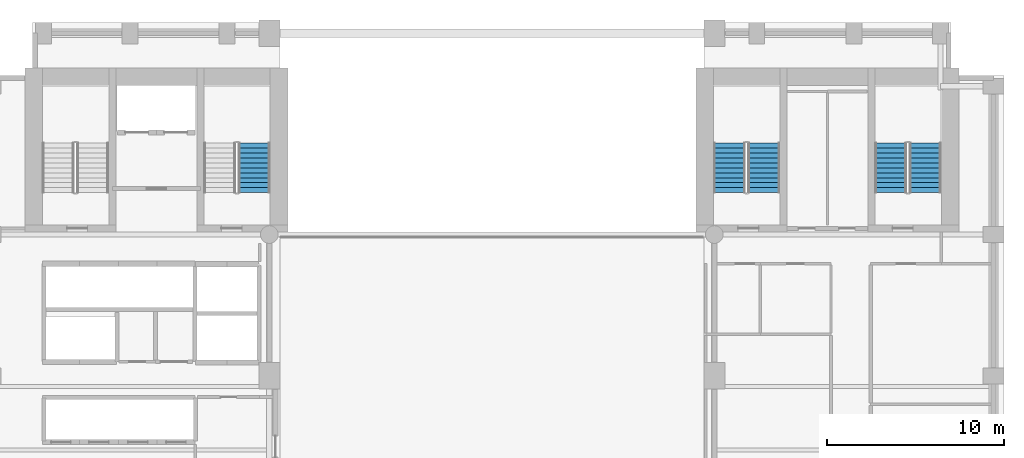
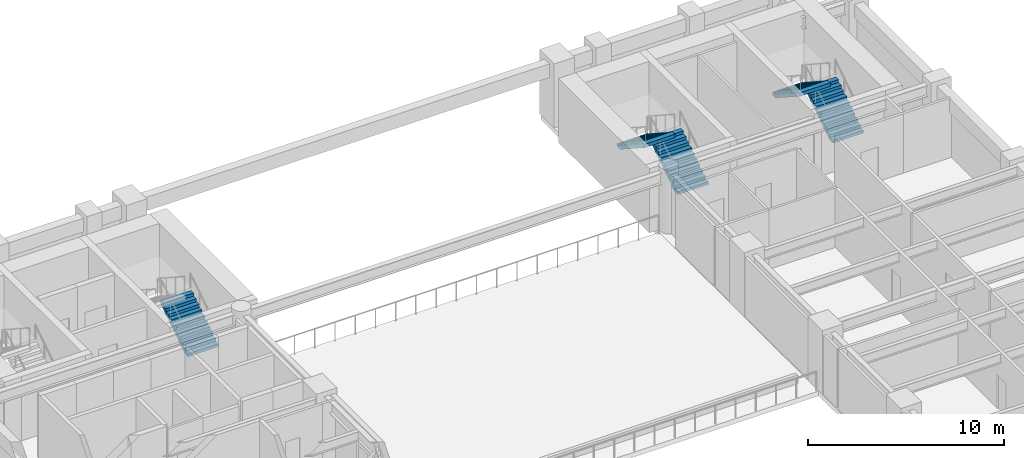
# One storey, part 8 of 12: 5 stair flights, 3 elements without a shape of their own.
"""IFC4 building model written with IfcOpenShell, lengths in metres."""

from ifc_helpers import new_model, si_unit, direction, frame, origin, place, context, subcontext, project, spatial, polyline, outline, extrude, material, type_object, element, aggregate, save


model = new_model("IFC4")

# Units and contexts
model_context = context("Model", 3, precision=1e-05, world=origin(), true_north=direction((0.0, 1.0)))
body_context = subcontext(model_context, "Body", "Model", "MODEL_VIEW")
ifc_project = project(units=[si_unit("LENGTHUNIT", "METRE"), si_unit("AREAUNIT", "SQUARE_METRE"), si_unit("VOLUMEUNIT", "CUBIC_METRE"), si_unit("PLANEANGLEUNIT", "RADIAN"), si_unit("MASSUNIT", "GRAM", prefix="KILO")], contexts=[model_context])

# Site, building, storey
site_placement = place(None, origin())
site = spatial("IfcSite", under=ifc_project, at=site_placement, CompositionType="ELEMENT")
building_placement = place(site_placement, origin())
building = spatial("IfcBuilding", under=site, at=building_placement, Name="Sulina Concourse Tower", CompositionType="ELEMENT")
storey_placement = place(building_placement, frame((0.0, 0.0, 38.60009765625)))
storey = spatial("IfcBuildingStorey", under=building, at=storey_placement, Name="L09", CompositionType="ELEMENT", Elevation=38.60009765625)

# Stair, stair flights
ifc_material_1 = material(Name="Concrete C50/60", Category="concrete")
stair_type_1 = type_object("IfcStairType", Name="Portal & Podium Core Exit Stair 1820mm", PredefinedType="HALF_TURN_STAIR", material=ifc_material_1)
stair_1_placement = place(storey_placement, origin())
stair_1 = element("IfcStair", 1, at=stair_1_placement, inside=storey, type_object=stair_type_1, Name="L09 ST-3", PredefinedType="HALF_TURN_STAIR")
ifc_material_2 = material(Name="Concrete C50/60", Category="concrete")
stair_flight_type_1 = type_object("IfcStairFlightType", Name="Portal & Podium Core Exit Stair 1820mm Flight", PredefinedType="STRAIGHT", material=ifc_material_2)
stair_flight_1_placement = place(storey_placement, frame((44.405029296875, 36.375, 0.0), z_axis=(0.0, 0.0, 1.0), x_axis=(0.0, 1.0, 0.0)))
stair_flight_1 = element("IfcStairFlight", 2, at=stair_flight_1_placement, type_object=stair_flight_type_1, Name="ST-3 flight 1", NumberOfRisers=11, NumberOfTreads=10, PredefinedType="STRAIGHT", RiserHeight=0.181818182, TreadLength=0.28, context=body_context, shape_type="SweptSolid", body=[
    extrude(outline(polyline([(0.0, 0.0), (0.0, 0.181884765625), (0.280029296875, 0.181884765625), (0.280029296875, 0.363525390625), (0.56005859375, 0.363525390625), (0.56005859375, 0.54541015625), (0.840087890625, 0.54541015625), (0.840087890625, 0.727294921875), (1.1201171875, 0.727294921875), (1.1201171875, 0.9091796875), (1.39990234375, 0.9091796875), (1.39990234375, 1.0908203125), (1.679931640625, 1.0908203125), (1.679931640625, 1.272705078125), (1.9599609375, 1.272705078125), (1.9599609375, 1.45458984375), (2.239990234375, 1.45458984375), (2.239990234375, 1.636474609375), (2.52001953125, 1.636474609375), (2.52001953125, 1.818115234375), (2.800048828125, 1.818115234375), (2.800048828125, 2.0), (2.800048828125, 1.603759765625), (0.330322265625, 0.0), (0.0, 0.0)])), frame((0.0, 0.89990234375, 0.0), z_axis=(0.0, -1.0, 0.0), x_axis=(1.0, 0.0, 0.0)), (0.0, 0.0, 1.0), 1.800048828125),
])
stair_flight_2_placement = place(storey_placement, frame((42.455078125, 39.175048828125, 2.0), z_axis=(0.0, 0.0, 1.0), x_axis=(0.0, -1.0, 0.0)))
stair_flight_2 = element("IfcStairFlight", 3, at=stair_flight_2_placement, type_object=stair_flight_type_1, Name="ST-3 flight 2", NumberOfRisers=11, NumberOfTreads=10, PredefinedType="STRAIGHT", RiserHeight=0.181818182, TreadLength=0.28, context=body_context, shape_type="SweptSolid", body=[
    extrude(outline(polyline([(0.0, 0.0), (0.0, 0.181884765625), (0.280029296875, 0.181884765625), (0.280029296875, 0.363525390625), (0.56005859375, 0.363525390625), (0.56005859375, 0.54541015625), (0.840087890625, 0.54541015625), (0.840087890625, 0.727294921875), (1.1201171875, 0.727294921875), (1.1201171875, 0.9091796875), (1.39990234375, 0.9091796875), (1.39990234375, 1.0908203125), (1.679931640625, 1.0908203125), (1.679931640625, 1.272705078125), (1.9599609375, 1.272705078125), (1.9599609375, 1.45458984375), (2.239990234375, 1.45458984375), (2.239990234375, 1.636474609375), (2.52001953125, 1.636474609375), (2.52001953125, 1.818115234375), (2.800048828125, 1.818115234375), (2.800048828125, 2.0), (2.800048828125, 1.603759765625), (0.330322265625, 0.0), (0.0, 0.0)])), frame((0.0, 0.89990234375, 0.0), z_axis=(0.0, -1.0, 0.0), x_axis=(1.0, 0.0, 0.0)), (0.0, 0.0, 1.0), 1.800048828125),
])
aggregate(stair_1, [stair_flight_1, stair_flight_2])

stair_2_placement = place(storey_placement, origin())
stair_2 = element("IfcStair", 4, at=stair_2_placement, inside=storey, type_object=stair_type_1, Name="L09 ST-4", PredefinedType="HALF_TURN_STAIR")
stair_flight_3_placement = place(storey_placement, frame((53.544921875, 36.375, 0.0), z_axis=(0.0, 0.0, 1.0), x_axis=(0.0, 1.0, 0.0)))
stair_flight_3 = element("IfcStairFlight", 5, at=stair_flight_3_placement, type_object=stair_flight_type_1, Name="ST-4 flight 1", NumberOfRisers=11, NumberOfTreads=10, PredefinedType="STRAIGHT", RiserHeight=0.181818182, TreadLength=0.28, context=body_context, shape_type="SweptSolid", body=[
    extrude(outline(polyline([(0.0, 0.0), (0.0, 0.181884765625), (0.280029296875, 0.181884765625), (0.280029296875, 0.363525390625), (0.56005859375, 0.363525390625), (0.56005859375, 0.54541015625), (0.840087890625, 0.54541015625), (0.840087890625, 0.727294921875), (1.1201171875, 0.727294921875), (1.1201171875, 0.9091796875), (1.39990234375, 0.9091796875), (1.39990234375, 1.0908203125), (1.679931640625, 1.0908203125), (1.679931640625, 1.272705078125), (1.9599609375, 1.272705078125), (1.9599609375, 1.45458984375), (2.239990234375, 1.45458984375), (2.239990234375, 1.636474609375), (2.52001953125, 1.636474609375), (2.52001953125, 1.818115234375), (2.800048828125, 1.818115234375), (2.800048828125, 2.0), (2.800048828125, 1.603759765625), (0.330322265625, 0.0), (0.0, 0.0)])), frame((0.0, 0.89990234375, 0.0), z_axis=(0.0, -1.0, 0.0), x_axis=(1.0, 0.0, 0.0)), (0.0, 0.0, 1.0), 1.800048828125),
])
stair_flight_4_placement = place(storey_placement, frame((51.594970703125, 39.175048828125, 2.0), z_axis=(0.0, 0.0, 1.0), x_axis=(0.0, -1.0, 0.0)))
stair_flight_4 = element("IfcStairFlight", 6, at=stair_flight_4_placement, type_object=stair_flight_type_1, Name="ST-4 flight 2", NumberOfRisers=11, NumberOfTreads=10, PredefinedType="STRAIGHT", RiserHeight=0.181818182, TreadLength=0.28, context=body_context, shape_type="SweptSolid", body=[
    extrude(outline(polyline([(0.0, 0.0), (0.0, 0.181884765625), (0.280029296875, 0.181884765625), (0.280029296875, 0.363525390625), (0.56005859375, 0.363525390625), (0.56005859375, 0.54541015625), (0.840087890625, 0.54541015625), (0.840087890625, 0.727294921875), (1.1201171875, 0.727294921875), (1.1201171875, 0.9091796875), (1.39990234375, 0.9091796875), (1.39990234375, 1.0908203125), (1.679931640625, 1.0908203125), (1.679931640625, 1.272705078125), (1.9599609375, 1.272705078125), (1.9599609375, 1.45458984375), (2.239990234375, 1.45458984375), (2.239990234375, 1.636474609375), (2.52001953125, 1.636474609375), (2.52001953125, 1.818115234375), (2.800048828125, 1.818115234375), (2.800048828125, 2.0), (2.800048828125, 1.603759765625), (0.330322265625, 0.0), (0.0, 0.0)])), frame((0.0, 0.89990234375, 0.0), z_axis=(0.0, -1.0, 0.0), x_axis=(1.0, 0.0, 0.0)), (0.0, 0.0, 1.0), 1.800048828125),
])
aggregate(stair_2, [stair_flight_3, stair_flight_4])

# Stair, stair flight
ifc_material_3 = material(Name="Concrete C50/60", Category="concrete")
stair_type_2 = type_object("IfcStairType", Name="Primary Core Dog-Leg Exit Stair 1800mm", PredefinedType="HALF_TURN_STAIR", material=ifc_material_3)
stair_3_placement = place(storey_placement, origin())
stair_3 = element("IfcStair", 7, at=stair_3_placement, inside=storey, type_object=stair_type_2, Name="L09 ST-2", PredefinedType="HALF_TURN_STAIR")
ifc_material_4 = material(Name="Concrete C50/60", Category="concrete")
stair_flight_type_2 = type_object("IfcStairFlightType", Name="Primary Core Dog-Leg Exit Stair 1800mm Flight", PredefinedType="STRAIGHT", material=ifc_material_4)
stair_flight_5_placement = place(storey_placement, frame((15.544921875, 36.375, 0.0), z_axis=(0.0, 0.0, 1.0), x_axis=(0.0, 1.0, 0.0)))
stair_flight_5 = element("IfcStairFlight", 8, at=stair_flight_5_placement, type_object=stair_flight_type_2, Name="ST-2 flight 1", NumberOfRisers=11, NumberOfTreads=10, PredefinedType="STRAIGHT", RiserHeight=0.181818182, TreadLength=0.28, context=body_context, shape_type="SweptSolid", body=[
    extrude(outline(polyline([(0.0, 0.0), (0.0, 0.181884765625), (0.280029296875, 0.181884765625), (0.280029296875, 0.363525390625), (0.56005859375, 0.363525390625), (0.56005859375, 0.54541015625), (0.840087890625, 0.54541015625), (0.840087890625, 0.727294921875), (1.1201171875, 0.727294921875), (1.1201171875, 0.9091796875), (1.39990234375, 0.9091796875), (1.39990234375, 1.0908203125), (1.679931640625, 1.0908203125), (1.679931640625, 1.272705078125), (1.9599609375, 1.272705078125), (1.9599609375, 1.45458984375), (2.239990234375, 1.45458984375), (2.239990234375, 1.636474609375), (2.52001953125, 1.636474609375), (2.52001953125, 1.818115234375), (2.800048828125, 1.818115234375), (2.800048828125, 2.0), (2.800048828125, 1.603759765625), (0.330322265625, 0.0), (0.0, 0.0)])), frame((0.0, 0.89990234375, 0.0), z_axis=(0.0, -1.0, 0.0), x_axis=(1.0, 0.0, 0.0)), (0.0, 0.0, 1.0), 1.800048828125),
])
aggregate(stair_3, [stair_flight_5])

save(model, "model.ifc")
